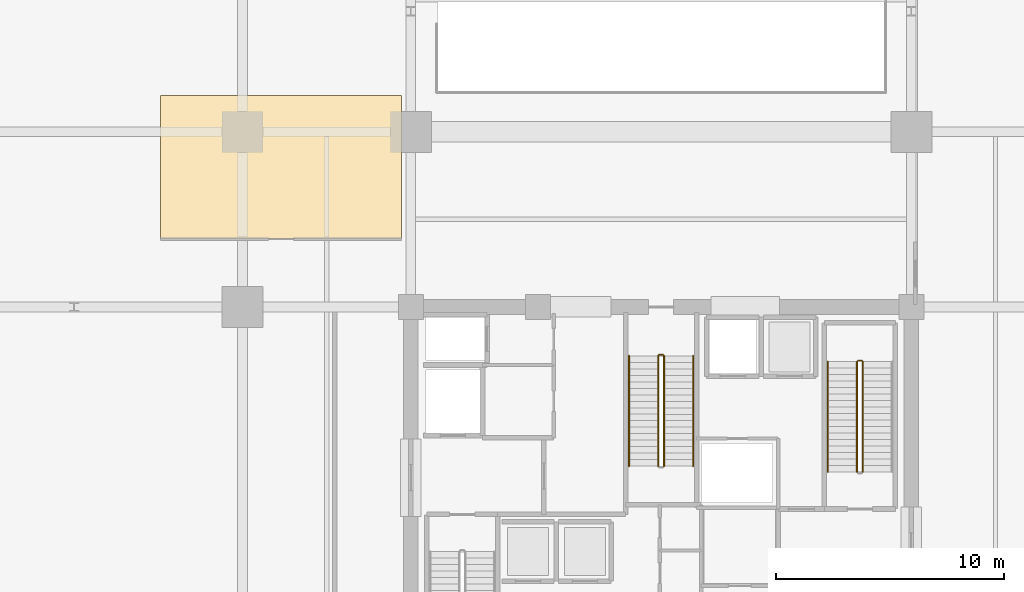
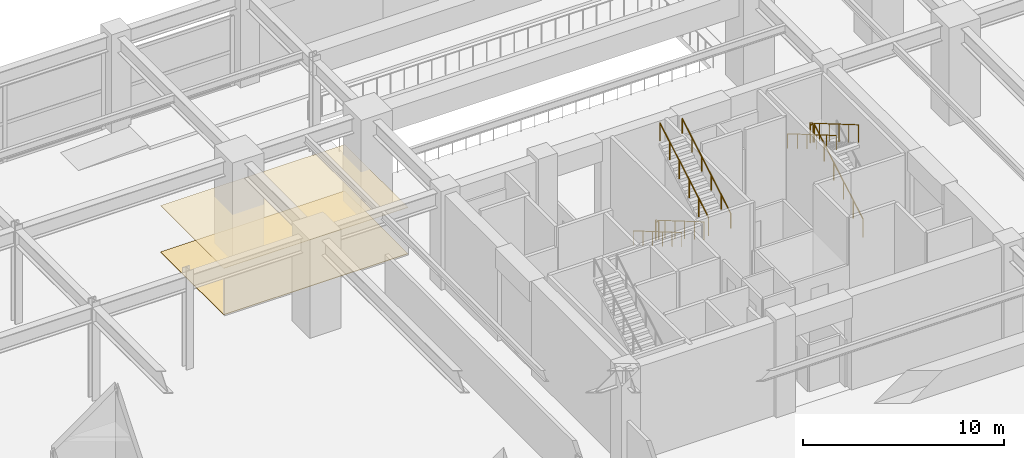
# One storey, part 38 of 41: 9 railings, 2 coverings.
"""IFC4 building model written with IfcOpenShell, lengths in metres."""

from ifc_helpers import new_model, si_unit, direction, frame, origin, origin_2d, place, context, subcontext, project, spatial, polyline, circle, outline, extrude, material, layer, layer_set, type_object, element, save


model = new_model("IFC4")

# Units and contexts
model_context = context("Model", 3, precision=1e-05, world=origin(), true_north=direction((0.0, 1.0)))
body_context = subcontext(model_context, "Body", "Model", "MODEL_VIEW")
ifc_project = project(units=[si_unit("LENGTHUNIT", "METRE"), si_unit("AREAUNIT", "SQUARE_METRE"), si_unit("VOLUMEUNIT", "CUBIC_METRE"), si_unit("PLANEANGLEUNIT", "RADIAN"), si_unit("MASSUNIT", "GRAM", prefix="KILO")], contexts=[model_context])

# Site, building, storey
site_placement = place(None, origin())
site = spatial("IfcSite", under=ifc_project, at=site_placement, CompositionType="ELEMENT")
building_placement = place(site_placement, origin())
building = spatial("IfcBuilding", under=site, at=building_placement, Name="Kovane Verandah Tower", CompositionType="ELEMENT")
storey_placement = place(building_placement, origin())
storey = spatial("IfcBuildingStorey", under=building, at=storey_placement, Name="L00", CompositionType="ELEMENT", Elevation=0.0)

# Coverings
ifc_material_1 = material(Name="Perforated Acoustic Mineral-Fibre Ceiling Tile", Category="gypsum")
ifc_layer_1 = layer(ifc_material_1, 0.02490234375)
ifc_layer_set_1 = layer_set([ifc_layer_1], Name="Perforated Acoustic Mineral-Fibre Ceiling Tile")
covering_type_1 = type_object("IfcCoveringType", Name="CV-CEIL-25", PredefinedType="CEILING", material=ifc_layer_set_1)
covering_1_placement = place(storey_placement, frame((0.0, 0.0, 2.824951171875)))
element("IfcCovering", 1, at=covering_1_placement, inside=storey, type_object=covering_type_1, Name="L00 Fire Control Centre Acoustic Ceiling", PredefinedType="CEILING", context=body_context, shape_type="SweptSolid", body=[
    extrude(outline(polyline([(18.0, 39.5), (28.60009765625, 39.5), (28.60009765625, 45.800048828125), (18.0, 45.800048828125), (18.0, 39.5)])), origin(), (0.0, 0.0, 1.0), 0.025146484375),
])
ifc_material_2 = material(Name="Polished Terrazzo and Raised-Access Carpet Tile Finish", Category="concrete")
ifc_layer_2 = layer(ifc_material_2, 0.030029296875)
ifc_layer_set_2 = layer_set([ifc_layer_2], Name="Polished Terrazzo and Raised-Access Carpet Tile Finish")
covering_type_2 = type_object("IfcCoveringType", Name="CV-FLOR-30", PredefinedType="FLOORING", material=ifc_layer_set_2)
covering_2_placement = place(storey_placement, origin())
element("IfcCovering", 2, at=covering_2_placement, inside=storey, type_object=covering_type_2, Name="L00 Fire Control Centre Floor Finish", PredefinedType="FLOORING", context=body_context, shape_type="SweptSolid", body=[
    extrude(outline(polyline([(18.0, 39.5), (28.60009765625, 39.5), (28.60009765625, 45.800048828125), (18.0, 45.800048828125), (18.0, 39.5)])), origin(), (0.0, 0.0, 1.0), 0.030029296875),
])

# Railings
ifc_material_3 = material(Name="Brushed Stainless Steel Handrail", Category="steel")
railing_type_1 = type_object("IfcRailingType", Name="RL-HAND-920", PredefinedType="HANDRAIL", material=ifc_material_3)
railing_1_placement = place(storey_placement, frame((47.330078125, 34.094970703125, 3.166748046875)))
element("IfcRailing", 3, at=railing_1_placement, inside=storey, type_object=railing_type_1, Name="L00 ST-02 stair handrail 2", PredefinedType="HANDRAIL", context=body_context, shape_type="SweptSolid", body=[
    extrude(circle(Radius=0.02392578125, at=origin_2d()), frame((0.0, 0.0, 0.8759765625), z_axis=(0.0, -0.863234098208, 0.504803815052), x_axis=(1.0, 0.0, 0.0)), (0.0, 0.0, 1.0), 5.612548828125),
    extrude(circle(Radius=0.02099609375, at=origin_2d()), origin(), (0.0, 0.0, 1.0), 0.851806640625),
    extrude(circle(Radius=0.02099609375, at=origin_2d()), frame((0.0, -0.968994140625, 0.566650390625)), (0.0, 0.0, 1.0), 0.851806640625),
    extrude(circle(Radius=0.02099609375, at=origin_2d()), frame((0.0, -1.93798828125, 1.13330078125)), (0.0, 0.0, 1.0), 0.851806640625),
    extrude(circle(Radius=0.02099609375, at=origin_2d()), frame((0.0, -2.906982421875, 1.699951171875)), (0.0, 0.0, 1.0), 0.851806640625),
    extrude(circle(Radius=0.02099609375, at=origin_2d()), frame((0.0, -3.8759765625, 2.2666015625)), (0.0, 0.0, 1.0), 0.851806640625),
    extrude(circle(Radius=0.02099609375, at=origin_2d()), frame((0.0, -4.844970703125, 2.833251953125)), (0.0, 0.0, 1.0), 0.851806640625),
])
railing_2_placement = place(storey_placement, frame((38.590087890625, 34.35009765625, 0.166748046875)))
element("IfcRailing", 4, at=railing_2_placement, inside=storey, type_object=railing_type_1, Name="L00 ST-03 stair handrail 1", PredefinedType="HANDRAIL", context=body_context, shape_type="SweptSolid", body=[
    extrude(circle(Radius=0.02392578125, at=origin_2d()), frame((0.0, 0.0, 0.8759765625), z_axis=(0.0, -0.863245182253, 0.504784860428), x_axis=(1.0, 0.0, 0.0)), (0.0, 0.0, 1.0), 5.61279296875),
    extrude(circle(Radius=0.02099609375, at=origin_2d()), origin(), (0.0, 0.0, 1.0), 0.851806640625),
    extrude(circle(Radius=0.02099609375, at=origin_2d()), frame((0.0, -0.968994140625, 0.566650390625)), (0.0, 0.0, 1.0), 0.851806640625),
    extrude(circle(Radius=0.02099609375, at=origin_2d()), frame((0.0, -1.93798828125, 1.13330078125)), (0.0, 0.0, 1.0), 0.851806640625),
    extrude(circle(Radius=0.02099609375, at=origin_2d()), frame((0.0, -2.9072265625, 1.699951171875)), (0.0, 0.0, 1.0), 0.851806640625),
    extrude(circle(Radius=0.02099609375, at=origin_2d()), frame((0.0, -3.876220703125, 2.2666015625)), (0.0, 0.0, 1.0), 0.851806640625),
    extrude(circle(Radius=0.02099609375, at=origin_2d()), frame((0.0, -4.84521484375, 2.833251953125)), (0.0, 0.0, 1.0), 0.851806640625),
])
railing_3_placement = place(storey_placement, frame((41.409912109375, 29.5048828125, 3.166748046875)))
element("IfcRailing", 5, at=railing_3_placement, inside=storey, type_object=railing_type_1, Name="L00 ST-03 stair handrail 2", PredefinedType="HANDRAIL", context=body_context, shape_type="SweptSolid", body=[
    extrude(circle(Radius=0.02392578125, at=origin_2d()), frame((0.0, 0.0, 0.8759765625), z_axis=(0.0, 0.863245182253, 0.504784860428), x_axis=(-1.0, 0.0, 0.0)), (0.0, 0.0, 1.0), 5.61279296875),
    extrude(circle(Radius=0.02099609375, at=origin_2d()), origin(), (0.0, 0.0, 1.0), 0.851806640625),
    extrude(circle(Radius=0.02099609375, at=origin_2d()), frame((0.0, 0.968994140625, 0.566650390625)), (0.0, 0.0, 1.0), 0.851806640625),
    extrude(circle(Radius=0.02099609375, at=origin_2d()), frame((0.0, 1.93798828125, 1.13330078125)), (0.0, 0.0, 1.0), 0.851806640625),
    extrude(circle(Radius=0.02099609375, at=origin_2d()), frame((0.0, 2.9072265625, 1.699951171875)), (0.0, 0.0, 1.0), 0.851806640625),
    extrude(circle(Radius=0.02099609375, at=origin_2d()), frame((0.0, 3.876220703125, 2.2666015625)), (0.0, 0.0, 1.0), 0.851806640625),
    extrude(circle(Radius=0.02099609375, at=origin_2d()), frame((0.0, 4.84521484375, 2.833251953125)), (0.0, 0.0, 1.0), 0.851806640625),
])
ifc_material_4 = material(Name="Painted Steel Stairwell Guardrail", Category="steel")
railing_type_2 = type_object("IfcRailingType", Name="RL-STGUARD-1120", PredefinedType="GUARDRAIL", material=ifc_material_4)
railing_4_placement = place(storey_placement, frame((48.8701171875, 29.25, 0.166748046875)))
element("IfcRailing", 6, at=railing_4_placement, inside=storey, type_object=railing_type_2, Name="L00 ST-02 stair guard 1", PredefinedType="GUARDRAIL", context=body_context, shape_type="SweptSolid", body=[
    extrude(circle(Radius=0.02392578125, at=origin_2d()), frame((0.0, 0.0, 1.076171875), z_axis=(0.0, 0.863234098208, 0.504803815052), x_axis=(-1.0, 0.0, 0.0)), (0.0, 0.0, 1.0), 5.612548828125),
    extrude(circle(Radius=0.02099609375, at=origin_2d()), origin(), (0.0, 0.0, 1.0), 1.052001953125),
    extrude(circle(Radius=0.02099609375, at=origin_2d()), frame((0.0, 0.968994140625, 0.566650390625)), (0.0, 0.0, 1.0), 1.052001953125),
    extrude(circle(Radius=0.02099609375, at=origin_2d()), frame((0.0, 1.93798828125, 1.13330078125)), (0.0, 0.0, 1.0), 1.052001953125),
    extrude(circle(Radius=0.02099609375, at=origin_2d()), frame((0.0, 2.906982421875, 1.699951171875)), (0.0, 0.0, 1.0), 1.052001953125),
    extrude(circle(Radius=0.02099609375, at=origin_2d()), frame((0.0, 3.8759765625, 2.2666015625)), (0.0, 0.0, 1.0), 1.052001953125),
    extrude(circle(Radius=0.02099609375, at=origin_2d()), frame((0.0, 4.844970703125, 2.833251953125)), (0.0, 0.0, 1.0), 1.052001953125),
])
railing_5_placement = place(storey_placement, frame((48.820068359375, 34.14501953125, 3.0)))
element("IfcRailing", 7, at=railing_5_placement, inside=storey, type_object=railing_type_2, Name="L00 ST-02 stair guard 2", PredefinedType="GUARDRAIL", context=body_context, shape_type="SweptSolid", body=[
    extrude(circle(Radius=0.02392578125, at=origin_2d()), frame((0.0, 0.0, 1.076171875), z_axis=(-1.0, 0.0, 0.0), x_axis=(0.0, -1.0, 0.0)), (0.0, 0.0, 1.0), 0.16015625),
    extrude(circle(Radius=0.02099609375, at=origin_2d()), origin(), (0.0, 0.0, 1.0), 1.052001953125),
    extrude(circle(Radius=0.02099609375, at=origin_2d()), frame((-0.16015625, 0.0, 0.0)), (0.0, 0.0, 1.0), 1.052001953125),
])
railing_6_placement = place(storey_placement, frame((48.610107421875, 34.094970703125, 3.166748046875)))
element("IfcRailing", 8, at=railing_6_placement, inside=storey, type_object=railing_type_2, Name="L00 ST-02 stair guard 3", PredefinedType="GUARDRAIL", context=body_context, shape_type="SweptSolid", body=[
    extrude(circle(Radius=0.02392578125, at=origin_2d()), frame((0.0, 0.0, 1.076171875), z_axis=(0.0, -0.863234098208, 0.504803815052), x_axis=(1.0, 0.0, 0.0)), (0.0, 0.0, 1.0), 5.612548828125),
    extrude(circle(Radius=0.02099609375, at=origin_2d()), origin(), (0.0, 0.0, 1.0), 1.052001953125),
    extrude(circle(Radius=0.02099609375, at=origin_2d()), frame((0.0, -0.968994140625, 0.566650390625)), (0.0, 0.0, 1.0), 1.052001953125),
    extrude(circle(Radius=0.02099609375, at=origin_2d()), frame((0.0, -1.93798828125, 1.13330078125)), (0.0, 0.0, 1.0), 1.052001953125),
    extrude(circle(Radius=0.02099609375, at=origin_2d()), frame((0.0, -2.906982421875, 1.699951171875)), (0.0, 0.0, 1.0), 1.052001953125),
    extrude(circle(Radius=0.02099609375, at=origin_2d()), frame((0.0, -3.8759765625, 2.2666015625)), (0.0, 0.0, 1.0), 1.052001953125),
    extrude(circle(Radius=0.02099609375, at=origin_2d()), frame((0.0, -4.844970703125, 2.833251953125)), (0.0, 0.0, 1.0), 1.052001953125),
])
railing_7_placement = place(storey_placement, frame((39.8701171875, 34.35009765625, 0.166748046875)))
element("IfcRailing", 9, at=railing_7_placement, inside=storey, type_object=railing_type_2, Name="L00 ST-03 stair guard 1", PredefinedType="GUARDRAIL", context=body_context, shape_type="SweptSolid", body=[
    extrude(circle(Radius=0.02392578125, at=origin_2d()), frame((0.0, 0.0, 1.076171875), z_axis=(0.0, -0.863245182253, 0.504784860428), x_axis=(1.0, 0.0, 0.0)), (0.0, 0.0, 1.0), 5.61279296875),
    extrude(circle(Radius=0.02099609375, at=origin_2d()), origin(), (0.0, 0.0, 1.0), 1.052001953125),
    extrude(circle(Radius=0.02099609375, at=origin_2d()), frame((0.0, -0.968994140625, 0.566650390625)), (0.0, 0.0, 1.0), 1.052001953125),
    extrude(circle(Radius=0.02099609375, at=origin_2d()), frame((0.0, -1.93798828125, 1.13330078125)), (0.0, 0.0, 1.0), 1.052001953125),
    extrude(circle(Radius=0.02099609375, at=origin_2d()), frame((0.0, -2.9072265625, 1.699951171875)), (0.0, 0.0, 1.0), 1.052001953125),
    extrude(circle(Radius=0.02099609375, at=origin_2d()), frame((0.0, -3.876220703125, 2.2666015625)), (0.0, 0.0, 1.0), 1.052001953125),
    extrude(circle(Radius=0.02099609375, at=origin_2d()), frame((0.0, -4.84521484375, 2.833251953125)), (0.0, 0.0, 1.0), 1.052001953125),
])
railing_8_placement = place(storey_placement, frame((40.1298828125, 29.5048828125, 3.166748046875)))
element("IfcRailing", 10, at=railing_8_placement, inside=storey, type_object=railing_type_2, Name="L00 ST-03 stair guard 3", PredefinedType="GUARDRAIL", context=body_context, shape_type="SweptSolid", body=[
    extrude(circle(Radius=0.02392578125, at=origin_2d()), frame((0.0, 0.0, 1.076171875), z_axis=(0.0, 0.863245182253, 0.504784860428), x_axis=(-1.0, 0.0, 0.0)), (0.0, 0.0, 1.0), 5.61279296875),
    extrude(circle(Radius=0.02099609375, at=origin_2d()), origin(), (0.0, 0.0, 1.0), 1.052001953125),
    extrude(circle(Radius=0.02099609375, at=origin_2d()), frame((0.0, 0.968994140625, 0.566650390625)), (0.0, 0.0, 1.0), 1.052001953125),
    extrude(circle(Radius=0.02099609375, at=origin_2d()), frame((0.0, 1.93798828125, 1.13330078125)), (0.0, 0.0, 1.0), 1.052001953125),
    extrude(circle(Radius=0.02099609375, at=origin_2d()), frame((0.0, 2.9072265625, 1.699951171875)), (0.0, 0.0, 1.0), 1.052001953125),
    extrude(circle(Radius=0.02099609375, at=origin_2d()), frame((0.0, 3.876220703125, 2.2666015625)), (0.0, 0.0, 1.0), 1.052001953125),
    extrude(circle(Radius=0.02099609375, at=origin_2d()), frame((0.0, 4.84521484375, 2.833251953125)), (0.0, 0.0, 1.0), 1.052001953125),
])
railing_9_placement = place(storey_placement, frame((39.919921875, 34.39990234375, 0.0)))
element("IfcRailing", 11, at=railing_9_placement, inside=storey, type_object=railing_type_2, Name="L00 ST-03 stair guard 4", PredefinedType="GUARDRAIL", context=body_context, shape_type="SweptSolid", body=[
    extrude(circle(Radius=0.02392578125, at=origin_2d()), frame((0.0, 0.0, 1.076171875), z_axis=(1.0, 0.0, 0.0), x_axis=(0.0, 1.0, 0.0)), (0.0, 0.0, 1.0), 0.16015625),
    extrude(circle(Radius=0.02099609375, at=origin_2d()), origin(), (0.0, 0.0, 1.0), 1.052001953125),
    extrude(circle(Radius=0.02099609375, at=origin_2d()), frame((0.16015625, 0.0, 0.0)), (0.0, 0.0, 1.0), 1.052001953125),
])

save(model, "model.ifc")
